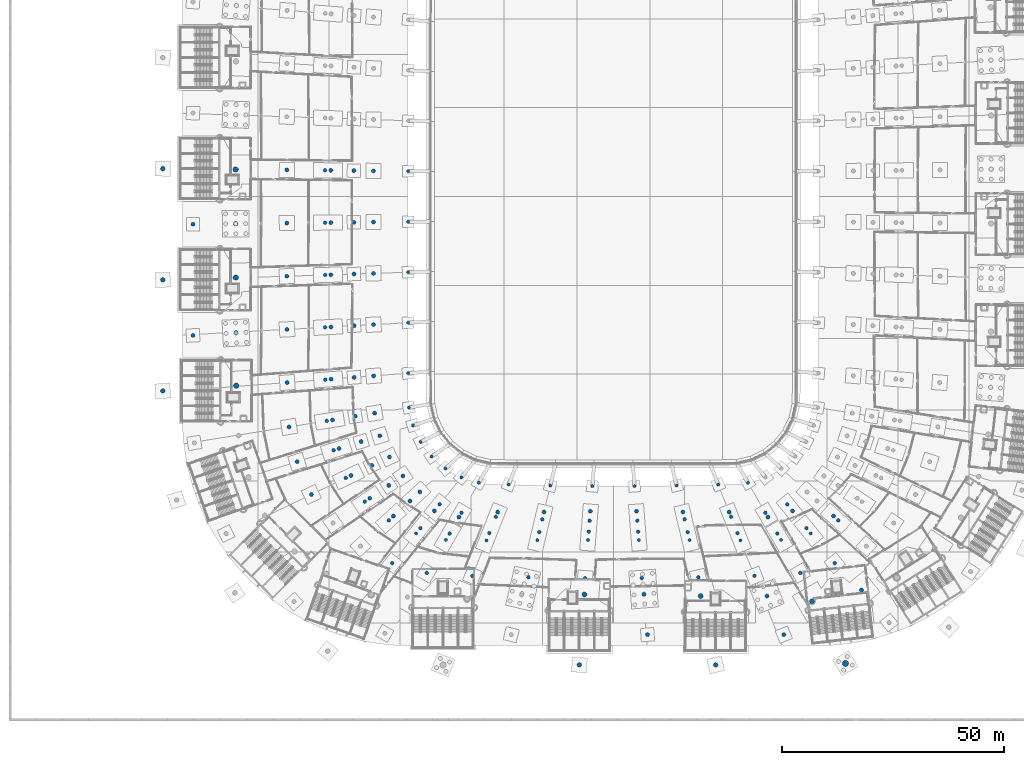
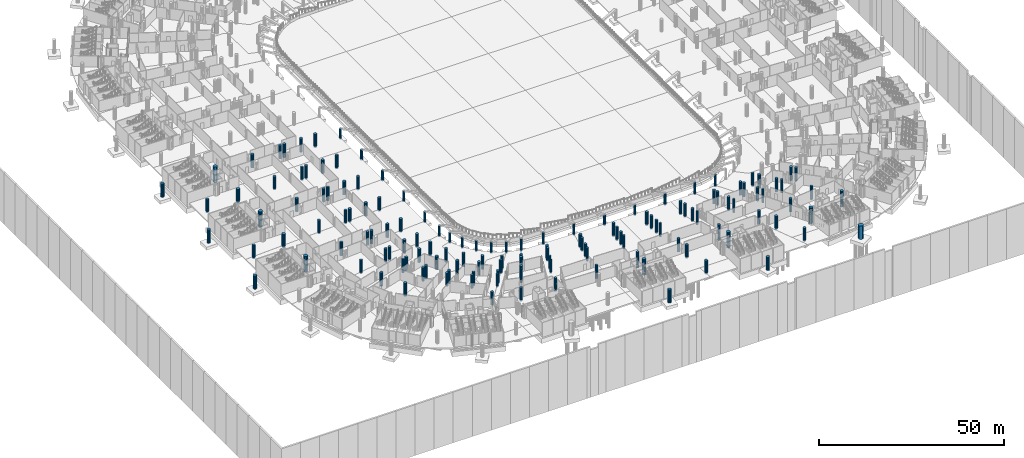
# One storey, part 9 of 142: 140 columns.
"""IFC4 building model written with IfcOpenShell, lengths in metres."""

from ifc_helpers import new_model, si_unit, direction, frame, origin, origin_2d, place, context, subcontext, project, spatial, circle, extrude, material, material_profile, profile_set, type_object, element, save


model = new_model("IFC4")

# Units and contexts
model_context = context("Model", 3, precision=1e-05, world=origin(), true_north=direction((0.0, 1.0)))
body_context = subcontext(model_context, "Body", "Model", "MODEL_VIEW")
ifc_project = project(units=[si_unit("LENGTHUNIT", "METRE"), si_unit("AREAUNIT", "SQUARE_METRE"), si_unit("VOLUMEUNIT", "CUBIC_METRE"), si_unit("PLANEANGLEUNIT", "RADIAN"), si_unit("MASSUNIT", "GRAM", prefix="KILO")], contexts=[model_context])

# Site, building, storey
site_placement = place(None, origin())
site = spatial("IfcSite", under=ifc_project, at=site_placement, CompositionType="ELEMENT")
building_placement = place(site_placement, origin())
building = spatial("IfcBuilding", under=site, at=building_placement, Name="Meseta Stadium", CompositionType="ELEMENT")
storey_placement = place(building_placement, frame((0.0, 0.0, -4.0)))
storey = spatial("IfcBuildingStorey", under=building, at=storey_placement, Name="B1", CompositionType="ELEMENT", Elevation=-4.0)

# Columns
ifc_material_1 = material(Name="Concrete C40/50", Category="concrete")
ifc_material_profile_1 = material_profile(ifc_material_1, circle(Radius=0.5, at=origin_2d()), Name="RC D1000")
ifc_profile_set_1 = profile_set([ifc_material_profile_1], Name="Concrete C40/50")
column_type_1 = type_object("IfcColumnType", Name="RC column D1000", PredefinedType="COLUMN", material=ifc_profile_set_1)
for number, where, z_axis, x_axis, name in (
    (1, (-101.39990234375, 6.25, -0.39990234375), (0.0, 0.0, 1.0), (1.0, 0.0, 0.0), "Column C10 B1 frame 32 line R"),
    (2, (-84.9970703125, -6.13720703125, -0.39990234375), (0.0, 0.0, 1.0), (1.0, 0.0, 0.0), "Column C10 B1 frame 33 line P"),
    (3, (-101.39990234375, -18.75, -0.39990234375), (0.0, 0.0, 1.0), (1.0, 0.0, 0.0), "Column C10 B1 frame 34 line R"),
    (4, (-84.92529296875, -30.681640625, -0.39990234375), (0.0, 0.0, 1.0), (1.0, 0.0, 0.0), "Column C10 B1 frame 35 line P"),
    (5, (-101.39990234375, -43.75, -0.39990234375), (0.0, 0.0, 1.0), (1.0, 0.0, 0.0), "Column C10 B1 frame 36 line R"),
    (6, (-7.666748046875, -105.39990234375, -0.39990234375), (0.0, 0.0, 1.0), (1.0, 0.0, 0.0), "Column C10 B1 frame 46 line R"),
    (7, (23.0, -105.39990234375, -0.39990234375), (0.0, 0.0, 1.0), (1.0, 0.0, 0.0), "Column C10 B1 frame 48 line R"),
):
    element("IfcColumn", number, at=place(storey_placement, frame(where, z_axis=z_axis, x_axis=x_axis)), inside=storey, type_object=column_type_1, Name=name, PredefinedType="COLUMN", context=body_context, shape_type="SweptSolid", body=[
        extrude(circle(Radius=0.5, at=origin_2d()), origin(), (0.0, 0.0, 1.0), 4.39990234375),
    ])
ifc_material_2 = material(Name="Concrete C40/50", Category="concrete")
ifc_material_profile_2 = material_profile(ifc_material_2, circle(Radius=0.550048828125, at=origin_2d()), Name="RC D1100")
ifc_profile_set_2 = profile_set([ifc_material_profile_2], Name="Concrete C40/50")
column_type_2 = type_object("IfcColumnType", Name="RC column D1100", PredefinedType="COLUMN", material=ifc_profile_set_2)
for number, where, z_axis, x_axis, name in (
    (8, (-6.51708984375, -89.54638671875, -1.199951171875), (0.0, 0.0, 1.0), (1.0, 0.0, 0.0), "Column C11 B1 frame 46 line P"),
    (9, (19.62744140625, -89.90380859375, -1.199951171875), (0.0, 0.0, 1.0), (1.0, 0.0, 0.0), "Column C11 B1 frame 48 line P"),
    (10, (44.6826171875, -91.0908203125, -1.199951171875), (0.0, 0.0, 1.0), (1.0, 0.0, 0.0), "Column C11 B1 frame 50 line P"),
):
    element("IfcColumn", number, at=place(storey_placement, frame(where, z_axis=z_axis, x_axis=x_axis)), inside=storey, type_object=column_type_2, Name=name, PredefinedType="COLUMN", context=body_context, shape_type="SweptSolid", body=[
        extrude(circle(Radius=0.550048828125, at=origin_2d()), origin(), (0.0, 0.0, 1.0), 5.199951171875),
    ])
ifc_material_3 = material(Name="Concrete C40/50", Category="concrete")
ifc_material_profile_3 = material_profile(ifc_material_3, circle(Radius=0.60009765625, at=origin_2d()), Name="RC D1200")
ifc_profile_set_3 = profile_set([ifc_material_profile_3], Name="Concrete C40/50")
column_type_3 = type_object("IfcColumnType", Name="RC column D1200", PredefinedType="COLUMN", material=ifc_profile_set_3)
for number, where, z_axis, x_axis, name in (
    (11, (-84.99755859375, 6.081298828125, -1.199951171875), (0.0, 0.0, 1.0), (1.0, 0.0, 0.0), "Column C12 B1 frame 32 line P"),
    (12, (-84.978515625, -18.24365234375, -1.199951171875), (0.0, 0.0, 1.0), (1.0, 0.0, 0.0), "Column C12 B1 frame 34 line P"),
    (13, (-84.884033203125, -42.5615234375, -1.199951171875), (0.0, 0.0, 1.0), (1.0, 0.0, 0.0), "Column C12 B1 frame 36 line P"),
):
    element("IfcColumn", number, at=place(storey_placement, frame(where, z_axis=z_axis, x_axis=x_axis)), inside=storey, type_object=column_type_3, Name=name, PredefinedType="COLUMN", context=body_context, shape_type="SweptSolid", body=[
        extrude(circle(Radius=0.60009765625, at=origin_2d()), origin(), (0.0, 0.0, 1.0), 5.199951171875),
    ])
ifc_material_4 = material(Name="Concrete C40/50", Category="concrete")
ifc_material_profile_4 = material_profile(ifc_material_4, circle(Radius=0.699951171875, at=origin_2d()), Name="RC D1400")
ifc_profile_set_4 = profile_set([ifc_material_profile_4], Name="Concrete C40/50")
column_type_4 = type_object("IfcColumnType", Name="RC column D1400", PredefinedType="COLUMN", material=ifc_profile_set_4)
column_1_placement = place(storey_placement, frame((52.202880859375, -105.0517578125, -0.39990234375), z_axis=(0.0, 0.0, 1.0), x_axis=(1.0, 0.0, 0.0)))
element("IfcColumn", 14, at=column_1_placement, inside=storey, type_object=column_type_4, Name="Column C14 B1 frame 50 line R", PredefinedType="COLUMN", context=body_context, shape_type="SweptSolid", body=[
    extrude(circle(Radius=0.699951171875, at=origin_2d()), origin(), (0.0, 0.0, 1.0), 4.39990234375),
])
ifc_material_5 = material(Name="Concrete C40/50", Category="concrete")
ifc_material_profile_5 = material_profile(ifc_material_5, circle(Radius=0.35009765625, at=origin_2d()), Name="RC D700")
ifc_profile_set_5 = profile_set([ifc_material_profile_5], Name="Concrete C40/50")
column_type_5 = type_object("IfcColumnType", Name="RC column D700", PredefinedType="COLUMN", material=ifc_profile_set_5)
for number, where, z_axis, x_axis, name in (
    (15, (-46.19970703125, 5.68212890625, -0.39990234375), (0.0, 0.0, 1.0), (1.0, 0.0, 0.0), "Column C7 B1 frame 32 line A"),
    (16, (-46.19970703125, -5.68212890625, -0.39990234375), (0.0, 0.0, 1.0), (1.0, 0.0, 0.0), "Column C7 B1 frame 33 line A"),
):
    element("IfcColumn", number, at=place(storey_placement, frame(where, z_axis=z_axis, x_axis=x_axis)), inside=storey, type_object=column_type_5, Name=name, PredefinedType="COLUMN", context=body_context, shape_type="SweptSolid", body=[
        extrude(circle(Radius=0.35009765625, at=origin_2d()), origin(), (0.0, 0.0, 1.0), 3.332275390625),
    ])
column_2_placement = place(storey_placement, frame((-46.197265625, -17.0458984375, -0.39990234375), z_axis=(0.0, 0.0, 1.0), x_axis=(1.0, 0.0, 0.0)))
element("IfcColumn", 17, at=column_2_placement, inside=storey, type_object=column_type_5, Name="Column C7 B1 frame 34 line A", PredefinedType="COLUMN", context=body_context, shape_type="SweptSolid", body=[
    extrude(circle(Radius=0.35009765625, at=origin_2d()), origin(), (0.0, 0.0, 1.0), 3.39501953125),
])
column_3_placement = place(storey_placement, frame((-46.192138671875, -28.40966796875, -0.39990234375), z_axis=(0.0, 0.0, 1.0), x_axis=(1.0, 0.0, 0.0)))
element("IfcColumn", 18, at=column_3_placement, inside=storey, type_object=column_type_5, Name="Column C7 B1 frame 35 line A", PredefinedType="COLUMN", context=body_context, shape_type="SweptSolid", body=[
    extrude(circle(Radius=0.35009765625, at=origin_2d()), origin(), (0.0, 0.0, 1.0), 3.4580078125),
])
column_4_placement = place(storey_placement, frame((-46.184814453125, -39.77294921875, -0.39990234375), z_axis=(0.0, 0.0, 1.0), x_axis=(1.0, 0.0, 0.0)))
element("IfcColumn", 19, at=column_4_placement, inside=storey, type_object=column_type_5, Name="Column C7 B1 frame 36 line A", PredefinedType="COLUMN", context=body_context, shape_type="SweptSolid", body=[
    extrude(circle(Radius=0.35009765625, at=origin_2d()), origin(), (0.0, 0.0, 1.0), 3.5205078125),
])
column_5_placement = place(storey_placement, frame((-46.03955078125, -47.50634765625, -0.39990234375), z_axis=(0.0, 0.0, 1.0), x_axis=(1.0, 0.0, 0.0)))
element("IfcColumn", 20, at=column_5_placement, inside=storey, type_object=column_type_5, Name="Column C7 B1 frame 37 line A", PredefinedType="COLUMN", context=body_context, shape_type="SweptSolid", body=[
    extrude(circle(Radius=0.35009765625, at=origin_2d()), origin(), (0.0, 0.0, 1.0), 3.52587890625),
])
column_6_placement = place(storey_placement, frame((-45.1201171875, -51.509765625, -0.39990234375), z_axis=(0.0, 0.0, 1.0), x_axis=(1.0, 0.0, 0.0)))
element("IfcColumn", 21, at=column_6_placement, inside=storey, type_object=column_type_5, Name="Column C7 B1 frame 38 line A", PredefinedType="COLUMN", context=body_context, shape_type="SweptSolid", body=[
    extrude(circle(Radius=0.35009765625, at=origin_2d()), origin(), (0.0, 0.0, 1.0), 3.3876953125),
])
column_7_placement = place(storey_placement, frame((-43.38720703125, -55.234130859375, -0.39990234375), z_axis=(0.0, 0.0, 1.0), x_axis=(1.0, 0.0, 0.0)))
element("IfcColumn", 22, at=column_7_placement, inside=storey, type_object=column_type_5, Name="Column C7 B1 frame 39 line A", PredefinedType="COLUMN", context=body_context, shape_type="SweptSolid", body=[
    extrude(circle(Radius=0.35009765625, at=origin_2d()), origin(), (0.0, 0.0, 1.0), 3.45556640625),
])
column_8_placement = place(storey_placement, frame((-40.91650390625, -58.51611328125, -0.39990234375), z_axis=(0.0, 0.0, 1.0), x_axis=(1.0, 0.0, 0.0)))
element("IfcColumn", 23, at=column_8_placement, inside=storey, type_object=column_type_5, Name="Column C7 B1 frame 40 line A", PredefinedType="COLUMN", context=body_context, shape_type="SweptSolid", body=[
    extrude(circle(Radius=0.35009765625, at=origin_2d()), origin(), (0.0, 0.0, 1.0), 3.521240234375),
])
column_9_placement = place(storey_placement, frame((-37.816162109375, -61.212158203125, -0.39990234375), z_axis=(0.0, 0.0, 1.0), x_axis=(1.0, 0.0, 0.0)))
element("IfcColumn", 24, at=column_9_placement, inside=storey, type_object=column_type_5, Name="Column C7 B1 frame 41 line A", PredefinedType="COLUMN", context=body_context, shape_type="SweptSolid", body=[
    extrude(circle(Radius=0.35009765625, at=origin_2d()), origin(), (0.0, 0.0, 1.0), 3.583740234375),
])
column_10_placement = place(storey_placement, frame((-34.219970703125, -63.204833984375, -0.39990234375), z_axis=(0.0, 0.0, 1.0), x_axis=(1.0, 0.0, 0.0)))
element("IfcColumn", 25, at=column_10_placement, inside=storey, type_object=column_type_5, Name="Column C7 B1 frame 42 line A", PredefinedType="COLUMN", context=body_context, shape_type="SweptSolid", body=[
    extrude(circle(Radius=0.35009765625, at=origin_2d()), origin(), (0.0, 0.0, 1.0), 3.641845703125),
])
column_11_placement = place(storey_placement, frame((-44.39013671875, -75.806396484375, -0.39990234375), z_axis=(0.0, 0.0, 1.0), x_axis=(1.0, 0.0, 0.0)))
element("IfcColumn", 26, at=column_11_placement, inside=storey, type_object=column_type_5, Name="Column C7 B1 frame 42 line D", PredefinedType="COLUMN", context=body_context, shape_type="SweptSolid", body=[
    extrude(circle(Radius=0.35009765625, at=origin_2d()), origin(), (0.0, 0.0, 1.0), 4.39990234375),
])
column_12_placement = place(storey_placement, frame((-30.28173828125, -64.40771484375, -0.39990234375), z_axis=(0.0, 0.0, 1.0), x_axis=(1.0, 0.0, 0.0)))
element("IfcColumn", 27, at=column_12_placement, inside=storey, type_object=column_type_5, Name="Column C7 B1 frame 43 line A", PredefinedType="COLUMN", context=body_context, shape_type="SweptSolid", body=[
    extrude(circle(Radius=0.35009765625, at=origin_2d()), origin(), (0.0, 0.0, 1.0), 3.97509765625),
])
column_13_placement = place(storey_placement, frame((-37.711669921875, -77.26171875, -0.39990234375), z_axis=(0.0, 0.0, 1.0), x_axis=(1.0, 0.0, 0.0)))
element("IfcColumn", 28, at=column_13_placement, inside=storey, type_object=column_type_5, Name="Column C7 B1 frame 43 line D", PredefinedType="COLUMN", context=body_context, shape_type="SweptSolid", body=[
    extrude(circle(Radius=0.35009765625, at=origin_2d()), origin(), (0.0, 0.0, 1.0), 4.39990234375),
])
column_14_placement = place(storey_placement, frame((-23.584716796875, -64.833251953125, -0.39990234375), z_axis=(0.0, 0.0, 1.0), x_axis=(1.0, 0.0, 0.0)))
element("IfcColumn", 29, at=column_14_placement, inside=storey, type_object=column_type_5, Name="Column C7 B1 frame 44 line A", PredefinedType="COLUMN", context=body_context, shape_type="SweptSolid", body=[
    extrude(circle(Radius=0.35009765625, at=origin_2d()), origin(), (0.0, 0.0, 1.0), 3.994140625),
])
column_15_placement = place(storey_placement, frame((-28.564697265625, -77.38330078125, -0.39990234375), z_axis=(0.0, 0.0, 1.0), x_axis=(1.0, 0.0, 0.0)))
element("IfcColumn", 30, at=column_15_placement, inside=storey, type_object=column_type_5, Name="Column C7 B1 frame 44 line D", PredefinedType="COLUMN", context=body_context, shape_type="SweptSolid", body=[
    extrude(circle(Radius=0.35009765625, at=origin_2d()), origin(), (0.0, 0.0, 1.0), 4.39990234375),
])
column_16_placement = place(storey_placement, frame((-14.204345703125, -65.05859375, -0.39990234375), z_axis=(0.0, 0.0, 1.0), x_axis=(1.0, 0.0, 0.0)))
element("IfcColumn", 31, at=column_16_placement, inside=storey, type_object=column_type_5, Name="Column C7 B1 frame 45 line A", PredefinedType="COLUMN", context=body_context, shape_type="SweptSolid", body=[
    extrude(circle(Radius=0.35009765625, at=origin_2d()), origin(), (0.0, 0.0, 1.0), 3.670654296875),
])
column_17_placement = place(storey_placement, frame((-17.126708984375, -77.33203125, -0.39990234375), z_axis=(0.0, 0.0, 1.0), x_axis=(1.0, 0.0, 0.0)))
element("IfcColumn", 32, at=column_17_placement, inside=storey, type_object=column_type_5, Name="Column C7 B1 frame 45 line D", PredefinedType="COLUMN", context=body_context, shape_type="SweptSolid", body=[
    extrude(circle(Radius=0.35009765625, at=origin_2d()), origin(), (0.0, 0.0, 1.0), 4.39990234375),
])
column_18_placement = place(storey_placement, frame((-4.74462890625, -65.18359375, -0.39990234375), z_axis=(0.0, 0.0, 1.0), x_axis=(1.0, 0.0, 0.0)))
element("IfcColumn", 33, at=column_18_placement, inside=storey, type_object=column_type_5, Name="Column C7 B1 frame 46 line A", PredefinedType="COLUMN", context=body_context, shape_type="SweptSolid", body=[
    extrude(circle(Radius=0.35009765625, at=origin_2d()), origin(), (0.0, 0.0, 1.0), 3.323486328125),
])
column_19_placement = place(storey_placement, frame((-5.70654296875, -77.3037109375, -0.39990234375), z_axis=(0.0, 0.0, 1.0), x_axis=(1.0, 0.0, 0.0)))
element("IfcColumn", 34, at=column_19_placement, inside=storey, type_object=column_type_5, Name="Column C7 B1 frame 46 line D", PredefinedType="COLUMN", context=body_context, shape_type="SweptSolid", body=[
    extrude(circle(Radius=0.35009765625, at=origin_2d()), origin(), (0.0, 0.0, 1.0), 4.39990234375),
])
column_20_placement = place(storey_placement, frame((4.74462890625, -65.18359375, -0.39990234375), z_axis=(0.0, 0.0, 1.0), x_axis=(1.0, 0.0, 0.0)))
element("IfcColumn", 35, at=column_20_placement, inside=storey, type_object=column_type_5, Name="Column C7 B1 frame 47 line A", PredefinedType="COLUMN", context=body_context, shape_type="SweptSolid", body=[
    extrude(circle(Radius=0.35009765625, at=origin_2d()), origin(), (0.0, 0.0, 1.0), 3.323486328125),
])
column_21_placement = place(storey_placement, frame((5.70654296875, -77.3037109375, -0.39990234375), z_axis=(0.0, 0.0, 1.0), x_axis=(1.0, 0.0, 0.0)))
element("IfcColumn", 36, at=column_21_placement, inside=storey, type_object=column_type_5, Name="Column C7 B1 frame 47 line D", PredefinedType="COLUMN", context=body_context, shape_type="SweptSolid", body=[
    extrude(circle(Radius=0.35009765625, at=origin_2d()), origin(), (0.0, 0.0, 1.0), 4.39990234375),
])
column_22_placement = place(storey_placement, frame((14.204345703125, -65.05859375, -0.39990234375), z_axis=(0.0, 0.0, 1.0), x_axis=(1.0, 0.0, 0.0)))
element("IfcColumn", 37, at=column_22_placement, inside=storey, type_object=column_type_5, Name="Column C7 B1 frame 48 line A", PredefinedType="COLUMN", context=body_context, shape_type="SweptSolid", body=[
    extrude(circle(Radius=0.35009765625, at=origin_2d()), origin(), (0.0, 0.0, 1.0), 3.670654296875),
])
column_23_placement = place(storey_placement, frame((17.126708984375, -77.33203125, -0.39990234375), z_axis=(0.0, 0.0, 1.0), x_axis=(1.0, 0.0, 0.0)))
element("IfcColumn", 38, at=column_23_placement, inside=storey, type_object=column_type_5, Name="Column C7 B1 frame 48 line D", PredefinedType="COLUMN", context=body_context, shape_type="SweptSolid", body=[
    extrude(circle(Radius=0.35009765625, at=origin_2d()), origin(), (0.0, 0.0, 1.0), 4.39990234375),
])
column_24_placement = place(storey_placement, frame((23.584716796875, -64.833251953125, -0.39990234375), z_axis=(0.0, 0.0, 1.0), x_axis=(1.0, 0.0, 0.0)))
element("IfcColumn", 39, at=column_24_placement, inside=storey, type_object=column_type_5, Name="Column C7 B1 frame 49 line A", PredefinedType="COLUMN", context=body_context, shape_type="SweptSolid", body=[
    extrude(circle(Radius=0.35009765625, at=origin_2d()), origin(), (0.0, 0.0, 1.0), 3.994140625),
])
column_25_placement = place(storey_placement, frame((28.564697265625, -77.38330078125, -0.39990234375), z_axis=(0.0, 0.0, 1.0), x_axis=(1.0, 0.0, 0.0)))
element("IfcColumn", 40, at=column_25_placement, inside=storey, type_object=column_type_5, Name="Column C7 B1 frame 49 line D", PredefinedType="COLUMN", context=body_context, shape_type="SweptSolid", body=[
    extrude(circle(Radius=0.35009765625, at=origin_2d()), origin(), (0.0, 0.0, 1.0), 4.39990234375),
])
column_26_placement = place(storey_placement, frame((30.28173828125, -64.40771484375, -0.39990234375), z_axis=(0.0, 0.0, 1.0), x_axis=(1.0, 0.0, 0.0)))
element("IfcColumn", 41, at=column_26_placement, inside=storey, type_object=column_type_5, Name="Column C7 B1 frame 50 line A", PredefinedType="COLUMN", context=body_context, shape_type="SweptSolid", body=[
    extrude(circle(Radius=0.35009765625, at=origin_2d()), origin(), (0.0, 0.0, 1.0), 3.97509765625),
])
for number, where, z_axis, x_axis, name in (
    (42, (37.711669921875, -77.26171875, -0.39990234375), (0.0, 0.0, 1.0), (1.0, 0.0, 0.0), "Column C7 B1 frame 50 line D"),
    (43, (44.39013671875, -75.806396484375, -0.39990234375), (0.0, 0.0, 1.0), (1.0, 0.0, 0.0), "Column C7 B1 frame 51 line D"),
):
    element("IfcColumn", number, at=place(storey_placement, frame(where, z_axis=z_axis, x_axis=x_axis)), inside=storey, type_object=column_type_5, Name=name, PredefinedType="COLUMN", context=body_context, shape_type="SweptSolid", body=[
        extrude(circle(Radius=0.35009765625, at=origin_2d()), origin(), (0.0, 0.0, 1.0), 4.39990234375),
    ])
ifc_material_6 = material(Name="Concrete C40/50", Category="concrete")
ifc_material_profile_6 = material_profile(ifc_material_6, circle(Radius=0.39990234375, at=origin_2d()), Name="RC D800")
ifc_profile_set_6 = profile_set([ifc_material_profile_6], Name="Concrete C40/50")
column_type_6 = type_object("IfcColumnType", Name="RC column D800", PredefinedType="COLUMN", material=ifc_profile_set_6)
for number, where, z_axis, x_axis, name in (
    (44, (-64.898681640625, 5.886962890625, -0.39990234375), (0.0, 0.0, 1.0), (1.0, 0.0, 0.0), "Column C8 B1 frame 32 line D"),
    (45, (-64.898681640625, -5.886962890625, -0.39990234375), (0.0, 0.0, 1.0), (1.0, 0.0, 0.0), "Column C8 B1 frame 33 line D"),
    (46, (-64.886962890625, -17.66064453125, -0.39990234375), (0.0, 0.0, 1.0), (1.0, 0.0, 0.0), "Column C8 B1 frame 34 line D"),
    (47, (-64.8642578125, -29.433349609375, -0.39990234375), (0.0, 0.0, 1.0), (1.0, 0.0, 0.0), "Column C8 B1 frame 35 line D"),
    (48, (-64.829833984375, -41.2041015625, -0.39990234375), (0.0, 0.0, 1.0), (1.0, 0.0, 0.0), "Column C8 B1 frame 36 line D"),
    (49, (-64.501708984375, -50.479736328125, -0.39990234375), (0.0, 0.0, 1.0), (1.0, 0.0, 0.0), "Column C8 B1 frame 37 line D"),
    (50, (-62.963623046875, -57.1044921875, -0.39990234375), (0.0, 0.0, 1.0), (1.0, 0.0, 0.0), "Column C8 B1 frame 38 line D"),
    (51, (-60.22216796875, -63.33056640625, -0.39990234375), (0.0, 0.0, 1.0), (1.0, 0.0, 0.0), "Column C8 B1 frame 39 line D"),
    (52, (-55.940185546875, -68.657958984375, -0.39990234375), (0.0, 0.0, 1.0), (1.0, 0.0, 0.0), "Column C8 B1 frame 40 line D"),
    (53, (-50.571533203125, -72.888671875, -0.39990234375), (0.0, 0.0, 1.0), (1.0, 0.0, 0.0), "Column C8 B1 frame 41 line D"),
    (54, (-39.11865234375, -69.274658203125, -0.39990234375), (0.0, 0.0, 1.0), (1.0, 0.0, 0.0), "Column C8 B1 frame 42 line B"),
    (55, (-43.430419921875, -74.617431640625, -0.39990234375), (0.0, 0.0, 1.0), (1.0, 0.0, 0.0), "Column C8 B1 frame 42 line C"),
    (56, (-49.791259765625, -82.498779296875, -0.39990234375), (0.0, 0.0, 1.0), (1.0, 0.0, 0.0), "Column C8 B1 frame 42 line E"),
    (57, (-34.185302734375, -71.16064453125, -0.39990234375), (0.0, 0.0, 1.0), (1.0, 0.0, 0.0), "Column C8 B1 frame 43 line B"),
    (58, (-36.8857421875, -75.8330078125, -0.39990234375), (0.0, 0.0, 1.0), (1.0, 0.0, 0.0), "Column C8 B1 frame 43 line C"),
    (59, (-42.015625, -84.707275390625, -0.39990234375), (0.0, 0.0, 1.0), (1.0, 0.0, 0.0), "Column C8 B1 frame 43 line E"),
    (60, (-26.461669921875, -72.08349609375, -0.39990234375), (0.0, 0.0, 1.0), (1.0, 0.0, 0.0), "Column C8 B1 frame 44 line B"),
    (61, (-27.910888671875, -75.735595703125, -0.39990234375), (0.0, 0.0, 1.0), (1.0, 0.0, 0.0), "Column C8 B1 frame 44 line C"),
    (62, (-31.73681640625, -85.376708984375, -0.39990234375), (0.0, 0.0, 1.0), (1.0, 0.0, 0.0), "Column C8 B1 frame 44 line E"),
    (63, (-16.010986328125, -72.646484375, -0.39990234375), (0.0, 0.0, 1.0), (1.0, 0.0, 0.0), "Column C8 B1 frame 45 line B"),
    (64, (-16.697509765625, -75.529541015625, -0.39990234375), (0.0, 0.0, 1.0), (1.0, 0.0, 0.0), "Column C8 B1 frame 45 line C"),
    (65, (-19.11865234375, -85.6982421875, -0.39990234375), (0.0, 0.0, 1.0), (1.0, 0.0, 0.0), "Column C8 B1 frame 45 line E"),
    (66, (-5.36181640625, -72.959228515625, -0.39990234375), (0.0, 0.0, 1.0), (1.0, 0.0, 0.0), "Column C8 B1 frame 46 line B"),
    (67, (-5.556640625, -75.4150390625, -0.39990234375), (0.0, 0.0, 1.0), (1.0, 0.0, 0.0), "Column C8 B1 frame 46 line C"),
):
    element("IfcColumn", number, at=place(storey_placement, frame(where, z_axis=z_axis, x_axis=x_axis)), inside=storey, type_object=column_type_6, Name=name, PredefinedType="COLUMN", context=body_context, shape_type="SweptSolid", body=[
        extrude(circle(Radius=0.39990234375, at=origin_2d()), origin(), (0.0, 0.0, 1.0), 4.39990234375),
    ])
column_27_placement = place(storey_placement, frame((-6.386962890625, -85.876708984375, -1.199951171875), z_axis=(0.0, 0.0, 1.0), x_axis=(1.0, 0.0, 0.0)))
element("IfcColumn", 68, at=column_27_placement, inside=storey, type_object=column_type_6, Name="Column C8 B1 frame 46 line E", PredefinedType="COLUMN", context=body_context, shape_type="SweptSolid", body=[
    extrude(circle(Radius=0.39990234375, at=origin_2d()), origin(), (0.0, 0.0, 1.0), 5.199951171875),
])
for number, where, z_axis, x_axis, name in (
    (69, (5.36181640625, -72.959228515625, -0.39990234375), (0.0, 0.0, 1.0), (1.0, 0.0, 0.0), "Column C8 B1 frame 47 line B"),
    (70, (5.556640625, -75.4150390625, -0.39990234375), (0.0, 0.0, 1.0), (1.0, 0.0, 0.0), "Column C8 B1 frame 47 line C"),
    (71, (6.386962890625, -85.876708984375, -0.39990234375), (0.0, 0.0, 1.0), (1.0, 0.0, 0.0), "Column C8 B1 frame 47 line E"),
    (72, (16.010986328125, -72.646484375, -0.39990234375), (0.0, 0.0, 1.0), (1.0, 0.0, 0.0), "Column C8 B1 frame 48 line B"),
    (73, (16.697509765625, -75.529541015625, -0.39990234375), (0.0, 0.0, 1.0), (1.0, 0.0, 0.0), "Column C8 B1 frame 48 line C"),
):
    element("IfcColumn", number, at=place(storey_placement, frame(where, z_axis=z_axis, x_axis=x_axis)), inside=storey, type_object=column_type_6, Name=name, PredefinedType="COLUMN", context=body_context, shape_type="SweptSolid", body=[
        extrude(circle(Radius=0.39990234375, at=origin_2d()), origin(), (0.0, 0.0, 1.0), 4.39990234375),
    ])
column_28_placement = place(storey_placement, frame((19.11865234375, -85.6982421875, -1.199951171875), z_axis=(0.0, 0.0, 1.0), x_axis=(1.0, 0.0, 0.0)))
element("IfcColumn", 74, at=column_28_placement, inside=storey, type_object=column_type_6, Name="Column C8 B1 frame 48 line E", PredefinedType="COLUMN", context=body_context, shape_type="SweptSolid", body=[
    extrude(circle(Radius=0.39990234375, at=origin_2d()), origin(), (0.0, 0.0, 1.0), 5.199951171875),
])
for number, where, z_axis, x_axis, name in (
    (75, (26.461669921875, -72.08349609375, -0.39990234375), (0.0, 0.0, 1.0), (1.0, 0.0, 0.0), "Column C8 B1 frame 49 line B"),
    (76, (27.910888671875, -75.735595703125, -0.39990234375), (0.0, 0.0, 1.0), (1.0, 0.0, 0.0), "Column C8 B1 frame 49 line C"),
    (77, (31.73681640625, -85.376708984375, -0.39990234375), (0.0, 0.0, 1.0), (1.0, 0.0, 0.0), "Column C8 B1 frame 49 line E"),
    (78, (34.185302734375, -71.16064453125, -0.39990234375), (0.0, 0.0, 1.0), (1.0, 0.0, 0.0), "Column C8 B1 frame 50 line B"),
    (79, (36.8857421875, -75.8330078125, -0.39990234375), (0.0, 0.0, 1.0), (1.0, 0.0, 0.0), "Column C8 B1 frame 50 line C"),
    (80, (42.015625, -84.707275390625, -0.39990234375), (0.0, 0.0, 1.0), (1.0, 0.0, 0.0), "Column C8 B1 frame 50 line E"),
    (81, (39.11865234375, -69.274658203125, -0.39990234375), (0.0, 0.0, 1.0), (1.0, 0.0, 0.0), "Column C8 B1 frame 51 line B"),
    (82, (43.430419921875, -74.617431640625, -0.39990234375), (0.0, 0.0, 1.0), (1.0, 0.0, 0.0), "Column C8 B1 frame 51 line C"),
    (83, (49.791259765625, -82.498779296875, -0.39990234375), (0.0, 0.0, 1.0), (1.0, 0.0, 0.0), "Column C8 B1 frame 51 line E"),
    (84, (50.571533203125, -72.888671875, -0.39990234375), (0.0, 0.0, 1.0), (1.0, 0.0, 0.0), "Column C8 B1 frame 52 line D"),
):
    element("IfcColumn", number, at=place(storey_placement, frame(where, z_axis=z_axis, x_axis=x_axis)), inside=storey, type_object=column_type_6, Name=name, PredefinedType="COLUMN", context=body_context, shape_type="SweptSolid", body=[
        extrude(circle(Radius=0.39990234375, at=origin_2d()), origin(), (0.0, 0.0, 1.0), 4.39990234375),
    ])
ifc_material_7 = material(Name="Concrete C40/50", Category="concrete")
ifc_material_profile_7 = material_profile(ifc_material_7, circle(Radius=0.449951171875, at=origin_2d()), Name="RC D900")
ifc_profile_set_7 = profile_set([ifc_material_profile_7], Name="Concrete C40/50")
column_type_7 = type_object("IfcColumnType", Name="RC column D900", PredefinedType="COLUMN", material=ifc_profile_set_7)
for number, where, z_axis, x_axis, name in (
    (85, (-53.999267578125, 5.767578125, -0.39990234375), (0.0, 0.0, 1.0), (1.0, 0.0, 0.0), "Column C9 B1 frame 32 line B"),
    (86, (-58.39892578125, 5.815673828125, -0.39990234375), (0.0, 0.0, 1.0), (1.0, 0.0, 0.0), "Column C9 B1 frame 32 line U"),
    (87, (-63.5986328125, 5.872802734375, -0.39990234375), (0.0, 0.0, 1.0), (1.0, 0.0, 0.0), "Column C9 B1 frame 32 line C"),
    (88, (-73.498046875, 5.9814453125, -0.39990234375), (0.0, 0.0, 1.0), (1.0, 0.0, 0.0), "Column C9 B1 frame 32 line E"),
    (89, (-53.999267578125, -5.767578125, -0.39990234375), (0.0, 0.0, 1.0), (1.0, 0.0, 0.0), "Column C9 B1 frame 33 line B"),
    (90, (-58.39892578125, -5.815673828125, -0.39990234375), (0.0, 0.0, 1.0), (1.0, 0.0, 0.0), "Column C9 B1 frame 33 line U"),
    (91, (-63.5986328125, -5.872802734375, -0.39990234375), (0.0, 0.0, 1.0), (1.0, 0.0, 0.0), "Column C9 B1 frame 33 line C"),
    (92, (-73.498046875, -5.9814453125, -0.39990234375), (0.0, 0.0, 1.0), (1.0, 0.0, 0.0), "Column C9 B1 frame 33 line E"),
    (93, (-94.60009765625, -6.25, -0.39990234375), (0.0, 0.0, 1.0), (1.0, 0.0, 0.0), "Column C9 B1 frame 33 line R"),
    (94, (-53.992919921875, -17.302490234375, -0.39990234375), (0.0, 0.0, 1.0), (1.0, 0.0, 0.0), "Column C9 B1 frame 34 line B"),
    (95, (-58.390625, -17.447021484375, -0.39990234375), (0.0, 0.0, 1.0), (1.0, 0.0, 0.0), "Column C9 B1 frame 34 line U"),
    (96, (-63.587890625, -17.617919921875, -0.39990234375), (0.0, 0.0, 1.0), (1.0, 0.0, 0.0), "Column C9 B1 frame 34 line C"),
    (97, (-73.482421875, -17.943603515625, -0.39990234375), (0.0, 0.0, 1.0), (1.0, 0.0, 0.0), "Column C9 B1 frame 34 line E"),
    (98, (-53.98046875, -28.836669921875, -0.39990234375), (0.0, 0.0, 1.0), (1.0, 0.0, 0.0), "Column C9 B1 frame 35 line B"),
    (99, (-58.3740234375, -29.07763671875, -0.39990234375), (0.0, 0.0, 1.0), (1.0, 0.0, 0.0), "Column C9 B1 frame 35 line U"),
    (100, (-63.566162109375, -29.362060546875, -0.39990234375), (0.0, 0.0, 1.0), (1.0, 0.0, 0.0), "Column C9 B1 frame 35 line C"),
    (101, (-73.451171875, -29.904052734375, -0.39990234375), (0.0, 0.0, 1.0), (1.0, 0.0, 0.0), "Column C9 B1 frame 35 line E"),
    (102, (-94.60009765625, -31.25, -0.39990234375), (0.0, 0.0, 1.0), (1.0, 0.0, 0.0), "Column C9 B1 frame 35 line R"),
    (103, (-53.9619140625, -40.369873046875, -0.39990234375), (0.0, 0.0, 1.0), (1.0, 0.0, 0.0), "Column C9 B1 frame 36 line B"),
    (104, (-58.348876953125, -40.70654296875, -0.39990234375), (0.0, 0.0, 1.0), (1.0, 0.0, 0.0), "Column C9 B1 frame 36 line U"),
    (105, (-63.53369140625, -41.1044921875, -0.39990234375), (0.0, 0.0, 1.0), (1.0, 0.0, 0.0), "Column C9 B1 frame 36 line C"),
    (106, (-73.40478515625, -41.8623046875, -0.39990234375), (0.0, 0.0, 1.0), (1.0, 0.0, 0.0), "Column C9 B1 frame 36 line E"),
    (107, (-53.740234375, -48.74658203125, -0.39990234375), (0.0, 0.0, 1.0), (1.0, 0.0, 0.0), "Column C9 B1 frame 37 line B"),
    (108, (-58.084228515625, -49.4462890625, -0.39990234375), (0.0, 0.0, 1.0), (1.0, 0.0, 0.0), "Column C9 B1 frame 37 line U"),
    (109, (-63.21826171875, -50.27294921875, -0.39990234375), (0.0, 0.0, 1.0), (1.0, 0.0, 0.0), "Column C9 B1 frame 37 line C"),
    (110, (-72.9921875, -51.84716796875, -0.39990234375), (0.0, 0.0, 1.0), (1.0, 0.0, 0.0), "Column C9 B1 frame 37 line E"),
    (111, (-52.562744140625, -53.843505859375, -0.39990234375), (0.0, 0.0, 1.0), (1.0, 0.0, 0.0), "Column C9 B1 frame 38 line B"),
    (112, (-56.76123046875, -55.15966796875, -0.39990234375), (0.0, 0.0, 1.0), (1.0, 0.0, 0.0), "Column C9 B1 frame 38 line U"),
    (113, (-61.72314453125, -56.715576171875, -0.39990234375), (0.0, 0.0, 1.0), (1.0, 0.0, 0.0), "Column C9 B1 frame 38 line C"),
    (114, (-71.169677734375, -59.67724609375, -0.39990234375), (0.0, 0.0, 1.0), (1.0, 0.0, 0.0), "Column C9 B1 frame 38 line E"),
    (115, (-50.41650390625, -58.61474609375, -0.39990234375), (0.0, 0.0, 1.0), (1.0, 0.0, 0.0), "Column C9 B1 frame 39 line B"),
    (116, (-54.3642578125, -60.513427734375, -0.39990234375), (0.0, 0.0, 1.0), (1.0, 0.0, 0.0), "Column C9 B1 frame 39 line U"),
    (117, (-59.049072265625, -62.766357421875, -0.39990234375), (0.0, 0.0, 1.0), (1.0, 0.0, 0.0), "Column C9 B1 frame 39 line C"),
    (118, (-67.972412109375, -67.057861328125, -0.39990234375), (0.0, 0.0, 1.0), (1.0, 0.0, 0.0), "Column C9 B1 frame 39 line E"),
    (119, (-47.38134765625, -62.880126953125, -0.39990234375), (0.0, 0.0, 1.0), (1.0, 0.0, 0.0), "Column C9 B1 frame 40 line B"),
    (120, (-50.552978515625, -65.021240234375, -0.39990234375), (0.0, 0.0, 1.0), (1.0, 0.0, 0.0), "Column C9 B1 frame 40 line U"),
    (121, (-54.819580078125, -67.901611328125, -0.39990234375), (0.0, 0.0, 1.0), (1.0, 0.0, 0.0), "Column C9 B1 frame 40 line C"),
    (122, (-43.5693359375, -66.478759765625, -0.39990234375), (0.0, 0.0, 1.0), (1.0, 0.0, 0.0), "Column C9 B1 frame 41 line B"),
    (123, (-45.777099609375, -68.499755859375, -0.39990234375), (0.0, 0.0, 1.0), (1.0, 0.0, 0.0), "Column C9 B1 frame 41 line U"),
    (124, (-49.518310546875, -71.924560546875, -0.39990234375), (0.0, 0.0, 1.0), (1.0, 0.0, 0.0), "Column C9 B1 frame 41 line C"),
    (125, (-40.307861328125, -70.748291015625, -0.39990234375), (0.0, 0.0, 1.0), (1.0, 0.0, 0.0), "Column C9 B1 frame 42 line U"),
    (126, (-34.7607421875, -72.15625, -0.39990234375), (0.0, 0.0, 1.0), (1.0, 0.0, 0.0), "Column C9 B1 frame 43 line U"),
    (127, (-26.03759765625, -71.014404296875, -0.39990234375), (0.0, 0.0, 1.0), (1.0, 0.0, 0.0), "Column C9 B1 frame 44 line U"),
    (128, (-15.62109375, -71.0087890625, -0.39990234375), (0.0, 0.0, 1.0), (1.0, 0.0, 0.0), "Column C9 B1 frame 45 line U"),
    (129, (-5.1923828125, -70.823974609375, -0.39990234375), (0.0, 0.0, 1.0), (1.0, 0.0, 0.0), "Column C9 B1 frame 46 line U"),
    (130, (5.1923828125, -70.823974609375, -0.39990234375), (0.0, 0.0, 1.0), (1.0, 0.0, 0.0), "Column C9 B1 frame 47 line U"),
    (131, (6.870849609375, -89.517822265625, -0.39990234375), (0.0, 0.0, 1.0), (1.0, 0.0, 0.0), "Column C9 B1 frame 47 line P"),
    (132, (7.666748046875, -98.60009765625, -0.39990234375), (0.0, 0.0, 1.0), (1.0, 0.0, 0.0), "Column C9 B1 frame 47 line R"),
    (133, (15.62109375, -71.0087890625, -0.39990234375), (0.0, 0.0, 1.0), (1.0, 0.0, 0.0), "Column C9 B1 frame 48 line U"),
    (134, (26.03759765625, -71.014404296875, -0.39990234375), (0.0, 0.0, 1.0), (1.0, 0.0, 0.0), "Column C9 B1 frame 49 line U"),
    (135, (34.53076171875, -89.911865234375, -0.39990234375), (0.0, 0.0, 1.0), (1.0, 0.0, 0.0), "Column C9 B1 frame 49 line P"),
    (136, (38.333251953125, -98.60009765625, -0.39990234375), (0.0, 0.0, 1.0), (1.0, 0.0, 0.0), "Column C9 B1 frame 49 line R"),
    (137, (34.7607421875, -72.15625, -0.39990234375), (0.0, 0.0, 1.0), (1.0, 0.0, 0.0), "Column C9 B1 frame 50 line U"),
    (138, (40.307861328125, -70.748291015625, -0.39990234375), (0.0, 0.0, 1.0), (1.0, 0.0, 0.0), "Column C9 B1 frame 51 line U"),
):
    element("IfcColumn", number, at=place(storey_placement, frame(where, z_axis=z_axis, x_axis=x_axis)), inside=storey, type_object=column_type_7, Name=name, PredefinedType="COLUMN", context=body_context, shape_type="SweptSolid", body=[
        extrude(circle(Radius=0.449951171875, at=origin_2d()), origin(), (0.0, 0.0, 1.0), 4.39990234375),
    ])
column_29_placement = place(storey_placement, frame((55.799560546875, -88.541748046875, -1.199951171875), z_axis=(0.0, 0.0, 1.0), x_axis=(1.0, 0.0, 0.0)))
element("IfcColumn", 139, at=column_29_placement, inside=storey, type_object=column_type_7, Name="Column C9 B1 frame 51 line P", PredefinedType="COLUMN", context=body_context, shape_type="SweptSolid", body=[
    extrude(circle(Radius=0.449951171875, at=origin_2d()), origin(), (0.0, 0.0, 1.0), 5.199951171875),
])
column_30_placement = place(storey_placement, frame((49.518310546875, -71.924560546875, -0.39990234375), z_axis=(0.0, 0.0, 1.0), x_axis=(1.0, 0.0, 0.0)))
element("IfcColumn", 140, at=column_30_placement, inside=storey, type_object=column_type_7, Name="Column C9 B1 frame 52 line C", PredefinedType="COLUMN", context=body_context, shape_type="SweptSolid", body=[
    extrude(circle(Radius=0.449951171875, at=origin_2d()), origin(), (0.0, 0.0, 1.0), 4.39990234375),
])

save(model, "model.ifc")
